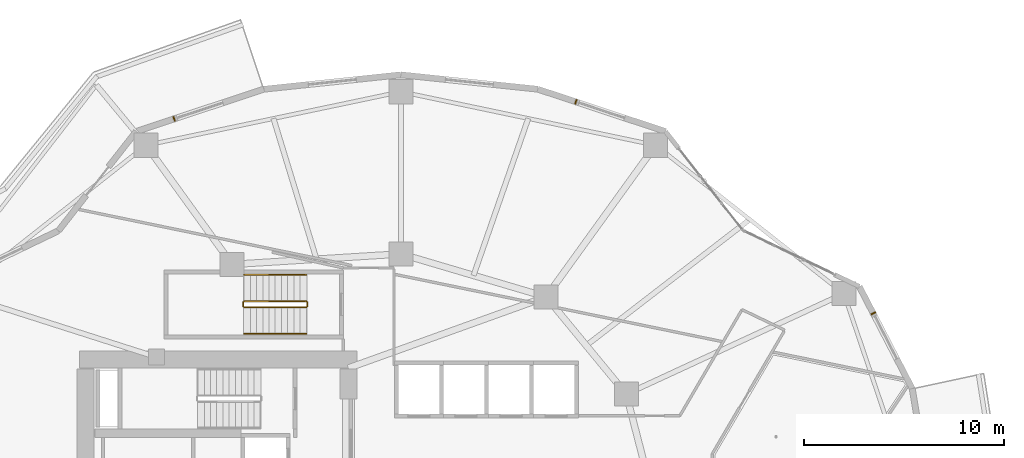
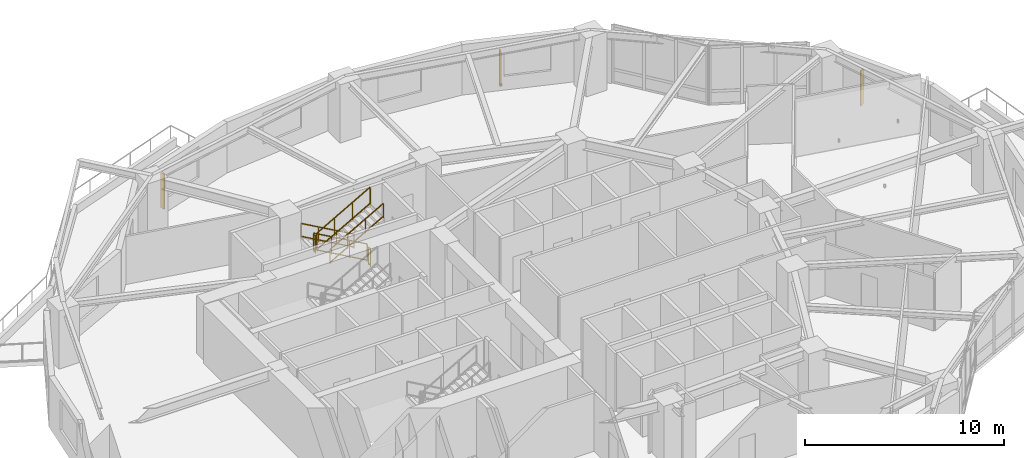
# One storey, part 18 of 18: 6 railings, 3 shading devices.
"""IFC4 building model written with IfcOpenShell, lengths in metres."""

from ifc_helpers import new_model, si_unit, direction, frame, origin, origin_2d, place, context, subcontext, project, spatial, rectangle, extrude, material, type_object, element, save


model = new_model("IFC4")

# Units and contexts
model_context = context("Model", 3, precision=1e-05, world=origin(), true_north=direction((0.0, 1.0)))
body_context = subcontext(model_context, "Body", "Model", "MODEL_VIEW")
ifc_project = project(units=[si_unit("LENGTHUNIT", "METRE"), si_unit("AREAUNIT", "SQUARE_METRE"), si_unit("VOLUMEUNIT", "CUBIC_METRE"), si_unit("PLANEANGLEUNIT", "RADIAN"), si_unit("MASSUNIT", "GRAM", prefix="KILO")], contexts=[model_context])

# Site, building, storey
site_placement = place(None, origin())
site = spatial("IfcSite", under=ifc_project, at=site_placement, CompositionType="ELEMENT")
building_placement = place(site_placement, origin())
building = spatial("IfcBuilding", under=site, at=building_placement, Name="Kolvaren Gate Tower and Convention Centre", CompositionType="ELEMENT")
storey_placement = place(building_placement, frame((0.0, 0.0, 61.14990234375)))
storey = spatial("IfcBuildingStorey", under=building, at=storey_placement, Name="L14", CompositionType="ELEMENT", Elevation=61.14990234375)

# Railings
ifc_material_1 = material(Name="Brushed Stainless Steel Grade 316L", Category="steel")
railing_type_1 = type_object("IfcRailingType", Name="ARCH-RL-GUARD-1150", PredefinedType="GUARDRAIL", material=ifc_material_1)
railing_1_placement = place(storey_placement, frame((25.39990234375, 36.830078125, 0.175048828125)))
element("IfcRailing", 1, at=railing_1_placement, inside=storey, type_object=railing_type_1, Name="L14 ST-T3 stair guard 1", PredefinedType="GUARDRAIL", context=body_context, shape_type="SweptSolid", body=[
    extrude(rectangle(XDim=0.048095703125, YDim=0.048095703125, at=origin_2d()), frame((0.0, 0.0, 1.076171875), z_axis=(-0.870814364268, 0.0, 0.491611984175), x_axis=(0.0, -1.0, 0.0)), (0.0, 0.0, 1.0), 3.559814453125),
    extrude(rectangle(XDim=0.048095703125, YDim=0.048095703125, at=origin_2d()), frame((0.0, 0.0, 0.083984375), z_axis=(-0.870814364268, 0.0, 0.491611984175), x_axis=(0.0, -1.0, 0.0)), (0.0, 0.0, 1.0), 3.559814453125),
    extrude(rectangle(XDim=0.0419921875, YDim=0.0419921875, at=origin_2d()), origin(), (0.0, 0.0, 1.0), 1.050048828125),
    extrude(rectangle(XDim=0.0419921875, YDim=0.0419921875, at=origin_2d()), frame((-3.099853515625, 0.0, 1.75)), (0.0, 0.0, 1.0), 1.050048828125),
    extrude(rectangle(XDim=0.0419921875, YDim=0.0419921875, at=origin_2d()), frame((-1.033203125, 0.0, 0.583251953125)), (0.0, 0.0, 1.0), 1.050048828125),
    extrude(rectangle(XDim=0.0419921875, YDim=0.0419921875, at=origin_2d()), frame((-2.066650390625, 0.0, 1.166748046875)), (0.0, 0.0, 1.0), 1.050048828125),
])
railing_2_placement = place(storey_placement, frame((22.25, 36.780029296875, 1.925048828125)))
element("IfcRailing", 2, at=railing_2_placement, inside=storey, type_object=railing_type_1, Name="L14 ST-T3 stair guard 2", PredefinedType="GUARDRAIL", context=body_context, shape_type="SweptSolid", body=[
    extrude(rectangle(XDim=0.048095703125, YDim=0.048095703125, at=origin_2d()), frame((0.0, 0.0, 1.076171875), z_axis=(0.0, -1.0, 0.0), x_axis=(1.0, 0.0, 0.0)), (0.0, 0.0, 1.0), 0.199951171875),
    extrude(rectangle(XDim=0.048095703125, YDim=0.048095703125, at=origin_2d()), frame((0.0, 0.0, 0.083984375), z_axis=(0.0, -1.0, 0.0), x_axis=(1.0, 0.0, 0.0)), (0.0, 0.0, 1.0), 0.199951171875),
    extrude(rectangle(XDim=0.0419921875, YDim=0.0419921875, at=origin_2d()), origin(), (0.0, 0.0, 1.0), 1.050048828125),
    extrude(rectangle(XDim=0.0419921875, YDim=0.0419921875, at=origin_2d()), frame((0.0, -0.199951171875, 0.0)), (0.0, 0.0, 1.0), 1.050048828125),
])
railing_3_placement = place(storey_placement, frame((22.300048828125, 36.530029296875, 2.10009765625)))
element("IfcRailing", 3, at=railing_3_placement, inside=storey, type_object=railing_type_1, Name="L14 ST-T3 stair guard 3", PredefinedType="GUARDRAIL", context=body_context, shape_type="SweptSolid", body=[
    extrude(rectangle(XDim=0.048095703125, YDim=0.048095703125, at=origin_2d()), frame((0.0, 0.0, 1.076171875), z_axis=(0.870814364268, 0.0, 0.491611984175), x_axis=(0.0, 1.0, 0.0)), (0.0, 0.0, 1.0), 3.559814453125),
    extrude(rectangle(XDim=0.048095703125, YDim=0.048095703125, at=origin_2d()), frame((0.0, 0.0, 0.083984375), z_axis=(0.870814364268, 0.0, 0.491611984175), x_axis=(0.0, 1.0, 0.0)), (0.0, 0.0, 1.0), 3.559814453125),
    extrude(rectangle(XDim=0.0419921875, YDim=0.0419921875, at=origin_2d()), origin(), (0.0, 0.0, 1.0), 1.050048828125),
    extrude(rectangle(XDim=0.0419921875, YDim=0.0419921875, at=origin_2d()), frame((3.099853515625, 0.0, 1.75)), (0.0, 0.0, 1.0), 1.050048828125),
    extrude(rectangle(XDim=0.0419921875, YDim=0.0419921875, at=origin_2d()), frame((1.033203125, 0.0, 0.583251953125)), (0.0, 0.0, 1.0), 1.050048828125),
    extrude(rectangle(XDim=0.0419921875, YDim=0.0419921875, at=origin_2d()), frame((2.066650390625, 0.0, 1.166748046875)), (0.0, 0.0, 1.0), 1.050048828125),
])
railing_4_placement = place(storey_placement, frame((25.449951171875, 36.780029296875, 0.0)))
element("IfcRailing", 4, at=railing_4_placement, inside=storey, type_object=railing_type_1, Name="L14 ST-T3 stair guard 4", PredefinedType="GUARDRAIL", context=body_context, shape_type="SweptSolid", body=[
    extrude(rectangle(XDim=0.048095703125, YDim=0.048095703125, at=origin_2d()), frame((0.0, 0.0, 1.076171875), z_axis=(0.0, -1.0, 0.0), x_axis=(1.0, 0.0, 0.0)), (0.0, 0.0, 1.0), 0.199951171875),
    extrude(rectangle(XDim=0.048095703125, YDim=0.048095703125, at=origin_2d()), frame((0.0, 0.0, 0.083984375), z_axis=(0.0, -1.0, 0.0), x_axis=(1.0, 0.0, 0.0)), (0.0, 0.0, 1.0), 0.199951171875),
    extrude(rectangle(XDim=0.0419921875, YDim=0.0419921875, at=origin_2d()), origin(), (0.0, 0.0, 1.0), 1.050048828125),
    extrude(rectangle(XDim=0.0419921875, YDim=0.0419921875, at=origin_2d()), frame((0.0, -0.199951171875, 0.0)), (0.0, 0.0, 1.0), 1.050048828125),
])
railing_type_2 = type_object("IfcRailingType", Name="ARCH-RL-HANDRAIL-920", PredefinedType="HANDRAIL", material=ifc_material_1)
railing_5_placement = place(storey_placement, frame((25.39990234375, 38.14990234375, 0.175048828125)))
element("IfcRailing", 5, at=railing_5_placement, inside=storey, type_object=railing_type_2, Name="L14 ST-T3 stair handrail 1", PredefinedType="HANDRAIL", context=body_context, shape_type="SweptSolid", body=[
    extrude(rectangle(XDim=0.048095703125, YDim=0.048095703125, at=origin_2d()), frame((0.0, 0.0, 0.8759765625), z_axis=(-0.870814364268, 0.0, 0.491611984175), x_axis=(0.0, -1.0, 0.0)), (0.0, 0.0, 1.0), 3.559814453125),
    extrude(rectangle(XDim=0.048095703125, YDim=0.048095703125, at=origin_2d()), frame((0.0, 0.0, 0.083984375), z_axis=(-0.870814364268, 0.0, 0.491611984175), x_axis=(0.0, -1.0, 0.0)), (0.0, 0.0, 1.0), 3.559814453125),
    extrude(rectangle(XDim=0.0419921875, YDim=0.0419921875, at=origin_2d()), origin(), (0.0, 0.0, 1.0), 0.849853515625),
    extrude(rectangle(XDim=0.0419921875, YDim=0.0419921875, at=origin_2d()), frame((-3.099853515625, 0.0, 1.75)), (0.0, 0.0, 1.0), 0.849853515625),
    extrude(rectangle(XDim=0.0419921875, YDim=0.0419921875, at=origin_2d()), frame((-1.033203125, 0.0, 0.583251953125)), (0.0, 0.0, 1.0), 0.849853515625),
    extrude(rectangle(XDim=0.0419921875, YDim=0.0419921875, at=origin_2d()), frame((-2.066650390625, 0.0, 1.166748046875)), (0.0, 0.0, 1.0), 0.849853515625),
])
railing_6_placement = place(storey_placement, frame((22.300048828125, 35.2099609375, 2.10009765625)))
element("IfcRailing", 6, at=railing_6_placement, inside=storey, type_object=railing_type_2, Name="L14 ST-T3 stair handrail 2", PredefinedType="HANDRAIL", context=body_context, shape_type="SweptSolid", body=[
    extrude(rectangle(XDim=0.048095703125, YDim=0.048095703125, at=origin_2d()), frame((0.0, 0.0, 0.8759765625), z_axis=(0.870814364268, 0.0, 0.491611984175), x_axis=(0.0, 1.0, 0.0)), (0.0, 0.0, 1.0), 3.559814453125),
    extrude(rectangle(XDim=0.048095703125, YDim=0.048095703125, at=origin_2d()), frame((0.0, 0.0, 0.083984375), z_axis=(0.870814364268, 0.0, 0.491611984175), x_axis=(0.0, 1.0, 0.0)), (0.0, 0.0, 1.0), 3.559814453125),
    extrude(rectangle(XDim=0.0419921875, YDim=0.0419921875, at=origin_2d()), origin(), (0.0, 0.0, 1.0), 0.849853515625),
    extrude(rectangle(XDim=0.0419921875, YDim=0.0419921875, at=origin_2d()), frame((3.099853515625, 0.0, 1.75)), (0.0, 0.0, 1.0), 0.849853515625),
    extrude(rectangle(XDim=0.0419921875, YDim=0.0419921875, at=origin_2d()), frame((1.033203125, 0.0, 0.583251953125)), (0.0, 0.0, 1.0), 0.849853515625),
    extrude(rectangle(XDim=0.0419921875, YDim=0.0419921875, at=origin_2d()), frame((2.066650390625, 0.0, 1.166748046875)), (0.0, 0.0, 1.0), 0.849853515625),
])

# Shading devices
ifc_material_2 = material(Name="Kiln-Fired Bogota Terracotta Ceramic Louvre Profile", Category="masonry")
shading_device_type = type_object("IfcShadingDeviceType", Name="ARCH-SHD-FIN-180", PredefinedType="JALOUSIE", material=ifc_material_2)
for number, where, z_axis, x_axis, name in (
    (7, (53.7158203125, 36.232421875, 0.22021484375), (0.0, 0.0, 1.0), (0.45980150925, -0.888021718254, 0.0), "Ceramic Vertical Brise-Soleil Fin FN-L14-01"),
    (8, (38.864990234375, 46.800537109375, 0.22021484375), (0.0, 0.0, 1.0), (0.949241728595, -0.314547517385, 0.0), "Ceramic Vertical Brise-Soleil Fin FN-L14-04"),
    (9, (18.8037109375, 45.9453125, 0.22021484375), (0.0, 0.0, 1.0), (0.949240081615, 0.314552487599, 0.0), "Ceramic Vertical Brise-Soleil Fin FN-L14-07"),
):
    element("IfcShadingDevice", number, at=place(storey_placement, frame(where, z_axis=z_axis, x_axis=x_axis)), inside=storey, type_object=shading_device_type, Name=name, PredefinedType="JALOUSIE", context=body_context, shape_type="SweptSolid", body=[
        extrude(rectangle(XDim=0.06005859375, YDim=0.239990234375, at=origin_2d()), origin(), (0.0, 0.0, 1.0), 2.14990234375),
    ])

save(model, "model.ifc")
